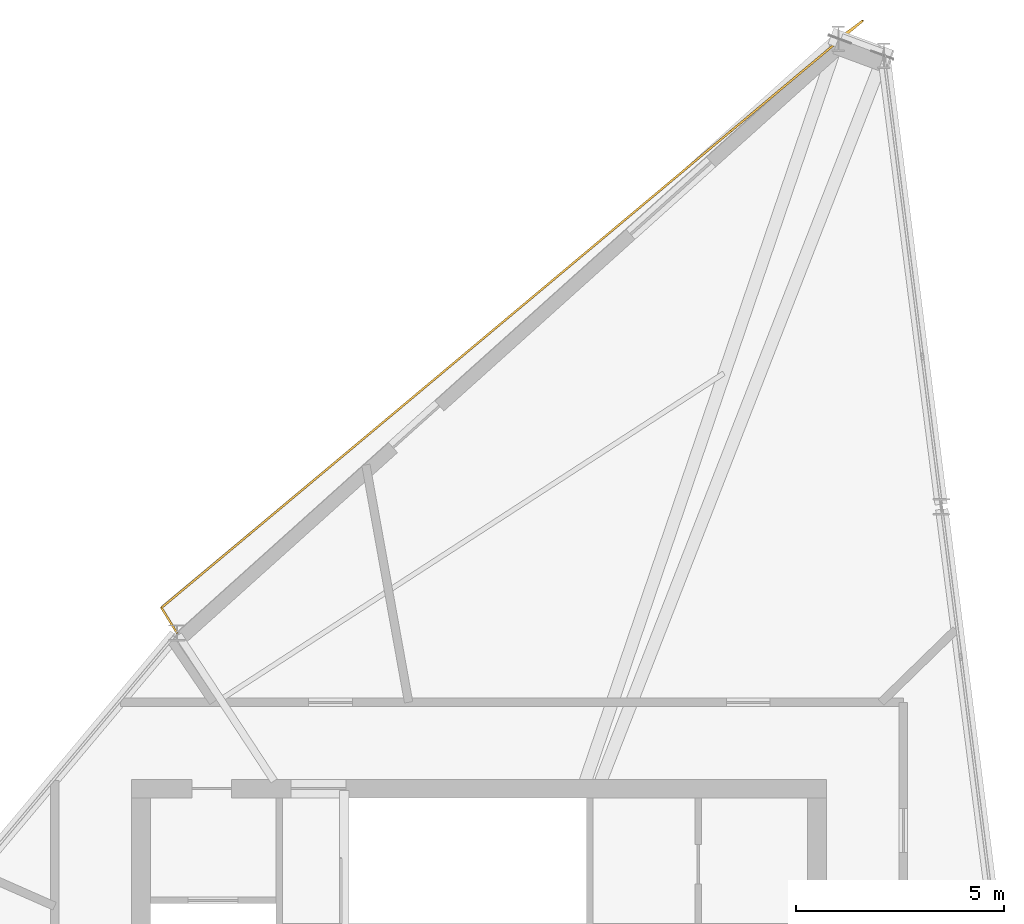
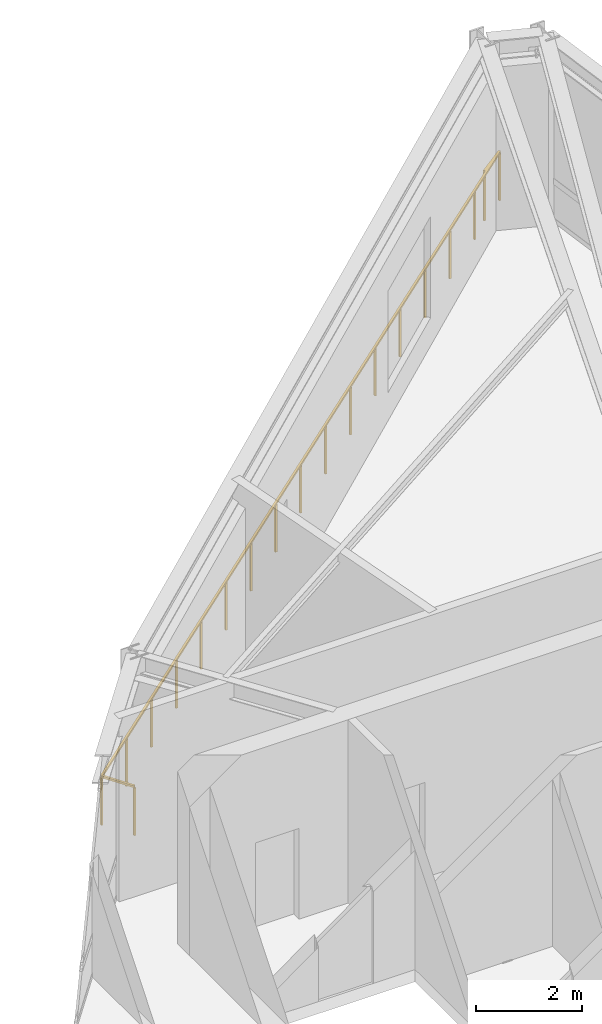
# One storey, part 23 of 23: 1 railing.
"""IFC4 building model written with IfcOpenShell, lengths in metres."""

from ifc_helpers import new_model, si_unit, direction, frame, origin, origin_2d, place, context, subcontext, project, spatial, rectangle, extrude, material, type_object, element, save


model = new_model("IFC4")

# Units and contexts
model_context = context("Model", 3, precision=1e-05, world=origin(), true_north=direction((0.0, 1.0)))
body_context = subcontext(model_context, "Body", "Model", "MODEL_VIEW")
ifc_project = project(units=[si_unit("LENGTHUNIT", "METRE"), si_unit("AREAUNIT", "SQUARE_METRE"), si_unit("VOLUMEUNIT", "CUBIC_METRE"), si_unit("PLANEANGLEUNIT", "RADIAN"), si_unit("MASSUNIT", "GRAM", prefix="KILO")], contexts=[model_context])

# Site, building, storey
site_placement = place(None, origin())
site = spatial("IfcSite", under=ifc_project, at=site_placement, CompositionType="ELEMENT")
building_placement = place(site_placement, origin())
building = spatial("IfcBuilding", under=site, at=building_placement, Name="Olszyna Solenne Hotel", CompositionType="ELEMENT")
storey_placement = place(building_placement, frame((0.0, 0.0, 290.5)))
storey = spatial("IfcBuildingStorey", under=building, at=storey_placement, Name="L77", CompositionType="ELEMENT", Elevation=290.5)

# Railing
ifc_material = material(Name="Anodised bronze aluminium", Category="aluminium")
railing_type = type_object("IfcRailingType", Name="GR-110", PredefinedType="BALUSTRADE", material=ifc_material)
railing_placement = place(storey_placement, frame((46.6376953125, 51.9462890625, 0.0)))
element("IfcRailing", 1, at=railing_placement, inside=storey, type_object=railing_type, Name="Loggia balcony balustrade guard GR-L77-LG1", PredefinedType="BALUSTRADE", context=body_context, shape_type="SweptSolid", body=[
    extrude(rectangle(XDim=0.048095703125, YDim=0.048095703125, at=origin_2d()), frame((0.0, 0.0, 1.1259765625), z_axis=(0.803108450117, 0.595832877031, 0.0), x_axis=(-0.595832877031, 0.803108450117, 0.0)), (0.0, 0.0, 1.0), 0.72314453125),
    extrude(rectangle(XDim=0.048095703125, YDim=0.048095703125, at=origin_2d()), frame((0.580810546875, 0.430908203125, 1.1259765625), z_axis=(-0.766802435557, -0.641883186276, 0.0), x_axis=(0.641883186276, -0.766802435557, 0.0)), (0.0, 0.0, 1.0), 21.97509765625),
    extrude(rectangle(XDim=0.048095703125, YDim=0.048095703125, at=origin_2d()), frame((-16.269775390625, -13.674560546875, 1.1259765625), z_axis=(0.524788907975, -0.851232401913, 0.0), x_axis=(0.851232401913, 0.524788907975, 0.0)), (0.0, 0.0, 1.0), 0.708984375),
    extrude(rectangle(XDim=0.0419921875, YDim=0.0419921875, at=origin_2d()), origin(), (0.0, 0.0, 1.0), 1.101806640625),
    extrude(rectangle(XDim=0.0419921875, YDim=0.0419921875, at=origin_2d()), frame((0.580810546875, 0.430908203125, 0.0)), (0.0, 0.0, 1.0), 1.101806640625),
    extrude(rectangle(XDim=0.0419921875, YDim=0.0419921875, at=origin_2d()), frame((-0.472412109375, -0.45068359375, 0.0)), (0.0, 0.0, 1.0), 1.101806640625),
    extrude(rectangle(XDim=0.0419921875, YDim=0.0419921875, at=origin_2d()), frame((-1.525390625, -1.332275390625, 0.0)), (0.0, 0.0, 1.0), 1.101806640625),
    extrude(rectangle(XDim=0.0419921875, YDim=0.0419921875, at=origin_2d()), frame((-2.57861328125, -2.2138671875, 0.0)), (0.0, 0.0, 1.0), 1.101806640625),
    extrude(rectangle(XDim=0.0419921875, YDim=0.0419921875, at=origin_2d()), frame((-3.6318359375, -3.095458984375, 0.0)), (0.0, 0.0, 1.0), 1.101806640625),
    extrude(rectangle(XDim=0.0419921875, YDim=0.0419921875, at=origin_2d()), frame((-4.68505859375, -3.97705078125, 0.0)), (0.0, 0.0, 1.0), 1.101806640625),
    extrude(rectangle(XDim=0.0419921875, YDim=0.0419921875, at=origin_2d()), frame((-5.73828125, -4.858642578125, 0.0)), (0.0, 0.0, 1.0), 1.101806640625),
    extrude(rectangle(XDim=0.0419921875, YDim=0.0419921875, at=origin_2d()), frame((-6.791259765625, -5.740234375, 0.0)), (0.0, 0.0, 1.0), 1.101806640625),
    extrude(rectangle(XDim=0.0419921875, YDim=0.0419921875, at=origin_2d()), frame((-7.844482421875, -6.621826171875, 0.0)), (0.0, 0.0, 1.0), 1.101806640625),
    extrude(rectangle(XDim=0.0419921875, YDim=0.0419921875, at=origin_2d()), frame((-8.897705078125, -7.50341796875, 0.0)), (0.0, 0.0, 1.0), 1.101806640625),
    extrude(rectangle(XDim=0.0419921875, YDim=0.0419921875, at=origin_2d()), frame((-9.95068359375, -8.385009765625, 0.0)), (0.0, 0.0, 1.0), 1.101806640625),
    extrude(rectangle(XDim=0.0419921875, YDim=0.0419921875, at=origin_2d()), frame((-11.00390625, -9.2666015625, 0.0)), (0.0, 0.0, 1.0), 1.101806640625),
    extrude(rectangle(XDim=0.0419921875, YDim=0.0419921875, at=origin_2d()), frame((-12.05712890625, -10.148193359375, 0.0)), (0.0, 0.0, 1.0), 1.101806640625),
    extrude(rectangle(XDim=0.0419921875, YDim=0.0419921875, at=origin_2d()), frame((-13.1103515625, -11.02978515625, 0.0)), (0.0, 0.0, 1.0), 1.101806640625),
    extrude(rectangle(XDim=0.0419921875, YDim=0.0419921875, at=origin_2d()), frame((-14.16357421875, -11.911376953125, 0.0)), (0.0, 0.0, 1.0), 1.101806640625),
    extrude(rectangle(XDim=0.0419921875, YDim=0.0419921875, at=origin_2d()), frame((-15.216552734375, -12.79296875, 0.0)), (0.0, 0.0, 1.0), 1.101806640625),
    extrude(rectangle(XDim=0.0419921875, YDim=0.0419921875, at=origin_2d()), frame((-16.269775390625, -13.674560546875, 0.0)), (0.0, 0.0, 1.0), 1.101806640625),
    extrude(rectangle(XDim=0.0419921875, YDim=0.0419921875, at=origin_2d()), frame((-15.897705078125, -14.278076171875, 0.0)), (0.0, 0.0, 1.0), 1.101806640625),
])

save(model, "model.ifc")
